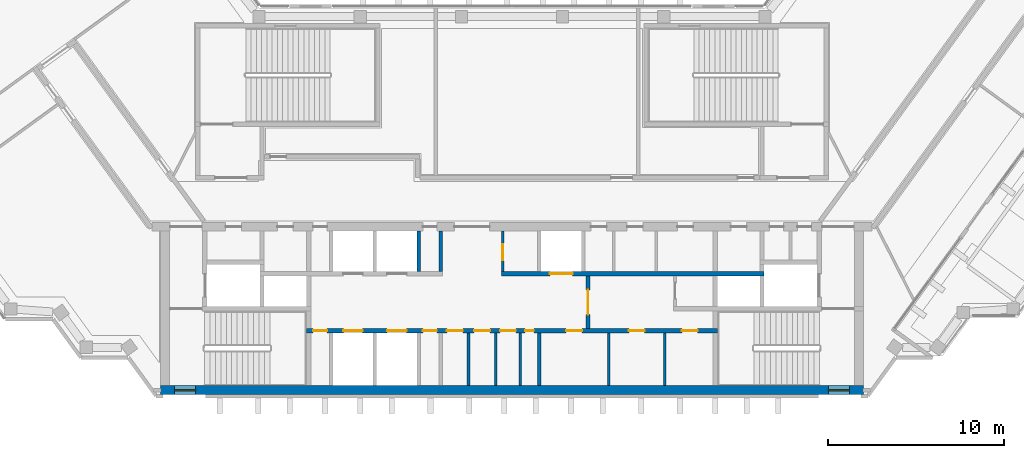
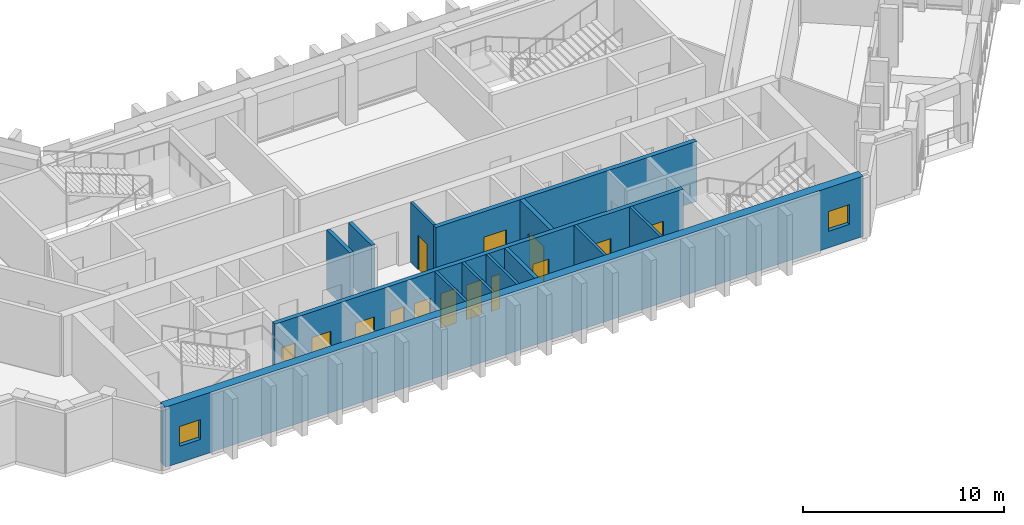
# One storey, part 6 of 11: 14 doors, 13 walls, 2 windows, 16 openings.
"""IFC4 building model written with IfcOpenShell, lengths in metres."""

from ifc_helpers import new_model, si_unit, direction, frame, frame_2d, origin, place, context, subcontext, project, spatial, rectangle, extrude, material, layer, layer_set, type_object, element, fill, save


model = new_model("IFC4")

# Units and contexts
model_context = context("Model", 3, precision=1e-05, world=origin(), true_north=direction((0.0, 1.0)))
body_context = subcontext(model_context, "Body", "Model", "MODEL_VIEW")
ifc_project = project(units=[si_unit("LENGTHUNIT", "METRE"), si_unit("AREAUNIT", "SQUARE_METRE"), si_unit("VOLUMEUNIT", "CUBIC_METRE"), si_unit("PLANEANGLEUNIT", "RADIAN"), si_unit("MASSUNIT", "GRAM", prefix="KILO")], contexts=[model_context])

# Site, building, storey
site_placement = place(None, origin())
site = spatial("IfcSite", under=ifc_project, at=site_placement, CompositionType="ELEMENT")
building_placement = place(site_placement, origin())
building = spatial("IfcBuilding", under=site, at=building_placement, Name="Quipu Civic Tower", CompositionType="ELEMENT")
storey_placement = place(building_placement, frame((0.0, 0.0, 319.0)))
storey = spatial("IfcBuildingStorey", under=building, at=storey_placement, Name="L74", CompositionType="ELEMENT", Elevation=319.0)

# Wall, openings, doors
ifc_material_1 = material(Name="Concrete C70/85", Category="concrete")
ifc_layer_1 = layer(ifc_material_1, 0.25)
ifc_layer_set_1 = layer_set([ifc_layer_1], Name="Concrete C70/85")
wall_type_1 = type_object("IfcWallType", Name="Core wall 250", PredefinedType="SHEAR", material=ifc_layer_set_1)
wall_1_placement = place(storey_placement, frame((11.699951171875, -7.375, 0.0), z_axis=(0.0, 0.0, 1.0), x_axis=(-1.0, 0.0, 0.0)))
wall_1 = element("IfcWall", 1, at=wall_1_placement, inside=storey, type_object=wall_type_1, Name="Core wall", PredefinedType="SHEAR", context=body_context, shape_type="SweptSolid", body=[
    extrude(rectangle(XDim=23.39990234375, YDim=0.25, at=frame_2d((11.699951171875, 0.0))), origin(), (0.0, 0.0, 1.0), 3.64990234375),
])
opening_1_placement = place(wall_1_placement, frame((22.22509765625, 0.0, 0.0)))
opening_1 = element("IfcOpeningElement", 2, at=opening_1_placement, cuts=wall_1, Name="Opening CD-01", PredefinedType="OPENING", context=body_context, shape_type="SweptSolid", body=[
    extrude(rectangle(XDim=0.800048828125, YDim=2.10009765625, at=frame_2d((0.39990234375, 1.050048828125))), frame((0.0, 0.135009765625, 0.0), z_axis=(0.0, -1.0, 0.0), x_axis=(1.0, 0.0, 0.0)), (0.0, 0.0, 1.0), 0.27001953125),
])
opening_2_placement = place(wall_1_placement, frame((20.199951171875, 0.0, 0.0)))
opening_2 = element("IfcOpeningElement", 3, at=opening_2_placement, cuts=wall_1, Name="Opening LD-HL1", PredefinedType="OPENING", context=body_context, shape_type="SweptSolid", body=[
    extrude(rectangle(XDim=1.10009765625, YDim=2.10009765625, at=frame_2d((0.550048828125, 1.050048828125))), frame((0.0, 0.135009765625, 0.0), z_axis=(0.0, -1.0, 0.0), x_axis=(1.0, 0.0, 0.0)), (0.0, 0.0, 1.0), 0.27001953125),
])
opening_3_placement = place(wall_1_placement, frame((17.699951171875, 0.0, 0.0)))
opening_3 = element("IfcOpeningElement", 4, at=opening_3_placement, cuts=wall_1, Name="Opening LD-HL2", PredefinedType="OPENING", context=body_context, shape_type="SweptSolid", body=[
    extrude(rectangle(XDim=1.10009765625, YDim=2.10009765625, at=frame_2d((0.550048828125, 1.050048828125))), frame((0.0, 0.135009765625, 0.0), z_axis=(0.0, -1.0, 0.0), x_axis=(1.0, 0.0, 0.0)), (0.0, 0.0, 1.0), 0.27001953125),
])
opening_4_placement = place(wall_1_placement, frame((15.97509765625, 0.0, 0.0)))
opening_4 = element("IfcOpeningElement", 5, at=opening_4_placement, cuts=wall_1, Name="Opening CD-02", PredefinedType="OPENING", context=body_context, shape_type="SweptSolid", body=[
    extrude(rectangle(XDim=0.800048828125, YDim=2.10009765625, at=frame_2d((0.39990234375, 1.050048828125))), frame((0.0, 0.135009765625, 0.0), z_axis=(0.0, -1.0, 0.0), x_axis=(1.0, 0.0, 0.0)), (0.0, 0.0, 1.0), 0.27001953125),
])
opening_5_placement = place(wall_1_placement, frame((14.5, 0.0, 0.0)))
opening_5 = element("IfcOpeningElement", 6, at=opening_5_placement, cuts=wall_1, Name="Opening CD-03", PredefinedType="OPENING", context=body_context, shape_type="SweptSolid", body=[
    extrude(rectangle(XDim=0.89990234375, YDim=2.10009765625, at=frame_2d((0.449951171875, 1.050048828125))), frame((0.0, 0.135009765625, 0.0), z_axis=(0.0, -1.0, 0.0), x_axis=(1.0, 0.0, 0.0)), (0.0, 0.0, 1.0), 0.27001953125),
])
opening_6_placement = place(wall_1_placement, frame((12.949951171875, 0.0, 0.0)))
opening_6 = element("IfcOpeningElement", 7, at=opening_6_placement, cuts=wall_1, Name="Opening CD-04", PredefinedType="OPENING", context=body_context, shape_type="SweptSolid", body=[
    extrude(rectangle(XDim=0.89990234375, YDim=2.10009765625, at=frame_2d((0.449951171875, 1.050048828125))), frame((0.0, 0.135009765625, 0.0), z_axis=(0.0, -1.0, 0.0), x_axis=(1.0, 0.0, 0.0)), (0.0, 0.0, 1.0), 0.27001953125),
])
opening_7_placement = place(wall_1_placement, frame((11.47509765625, 0.0, 0.0)))
opening_7 = element("IfcOpeningElement", 8, at=opening_7_placement, cuts=wall_1, Name="Opening CD-05", PredefinedType="OPENING", context=body_context, shape_type="SweptSolid", body=[
    extrude(rectangle(XDim=0.89990234375, YDim=2.10009765625, at=frame_2d((0.449951171875, 1.050048828125))), frame((0.0, 0.135009765625, 0.0), z_axis=(0.0, -1.0, 0.0), x_axis=(1.0, 0.0, 0.0)), (0.0, 0.0, 1.0), 0.27001953125),
])
opening_8_placement = place(wall_1_placement, frame((10.449951171875, 0.0, 0.0)))
opening_8 = element("IfcOpeningElement", 9, at=opening_8_placement, cuts=wall_1, Name="Opening CD-06", PredefinedType="OPENING", context=body_context, shape_type="SweptSolid", body=[
    extrude(rectangle(XDim=0.5, YDim=2.10009765625, at=frame_2d((0.25, 1.050048828125))), frame((0.0, 0.135009765625, 0.0), z_axis=(0.0, -1.0, 0.0), x_axis=(1.0, 0.0, 0.0)), (0.0, 0.0, 1.0), 0.27001953125),
])
opening_9_placement = place(wall_1_placement, frame((7.712890625, 0.0, 0.0)))
opening_9 = element("IfcOpeningElement", 10, at=opening_9_placement, cuts=wall_1, Name="Opening CD-07", PredefinedType="OPENING", context=body_context, shape_type="SweptSolid", body=[
    extrude(rectangle(XDim=0.89990234375, YDim=2.10009765625, at=frame_2d((0.449951171875, 1.050048828125))), frame((0.0, 0.135009765625, 0.0), z_axis=(0.0, -1.0, 0.0), x_axis=(1.0, 0.0, 0.0)), (0.0, 0.0, 1.0), 0.27001953125),
])
opening_10_placement = place(wall_1_placement, frame((4.14990234375, 0.0, 0.0)))
opening_10 = element("IfcOpeningElement", 11, at=opening_10_placement, cuts=wall_1, Name="Opening CD-08", PredefinedType="OPENING", context=body_context, shape_type="SweptSolid", body=[
    extrude(rectangle(XDim=0.89990234375, YDim=2.10009765625, at=frame_2d((0.449951171875, 1.050048828125))), frame((0.0, 0.135009765625, 0.0), z_axis=(0.0, -1.0, 0.0), x_axis=(1.0, 0.0, 0.0)), (0.0, 0.0, 1.0), 0.27001953125),
])
opening_11_placement = place(wall_1_placement, frame((1.137939453125, 0.0, 0.0)))
opening_11 = element("IfcOpeningElement", 12, at=opening_11_placement, cuts=wall_1, Name="Opening CD-09", PredefinedType="OPENING", context=body_context, shape_type="SweptSolid", body=[
    extrude(rectangle(XDim=0.89990234375, YDim=2.10009765625, at=frame_2d((0.449951171875, 1.050048828125))), frame((0.0, 0.135009765625, 0.0), z_axis=(0.0, -1.0, 0.0), x_axis=(1.0, 0.0, 0.0)), (0.0, 0.0, 1.0), 0.27001953125),
])
ifc_material_2 = material(Name="Fire rated steel door", Category="steel")
door_type_1 = type_object("IfcDoorType", Name="Fire door FD60 500 x 2100", OperationType="NOTDEFINED", PredefinedType="DOOR", material=ifc_material_2)
door_1_placement = place(opening_8_placement, origin())
door_1 = element("IfcDoor", 13, at=door_1_placement, inside=storey, type_object=door_type_1, Name="Door", OperationType="SINGLE_SWING_LEFT", OverallHeight=2.10009765625, OverallWidth=0.5, PredefinedType="DOOR", context=body_context, shape_type="SweptSolid", body=[
    extrude(rectangle(XDim=0.5, YDim=2.10009765625, at=frame_2d((0.25, 1.050048828125))), frame((0.0, 0.02490234375, 0.0), z_axis=(0.0, -1.0, 0.0), x_axis=(1.0, 0.0, 0.0)), (0.0, 0.0, 1.0), 0.050048828125),
])
fill(opening_8, door_1)
ifc_material_3 = material(Name="Fire rated steel door", Category="steel")
door_type_2 = type_object("IfcDoorType", Name="Fire door FD60 800 x 2100", OperationType="NOTDEFINED", PredefinedType="DOOR", material=ifc_material_3)
door_2_placement = place(opening_1_placement, origin())
door_2 = element("IfcDoor", 14, at=door_2_placement, inside=storey, type_object=door_type_2, Name="Door", OperationType="SINGLE_SWING_RIGHT", OverallHeight=2.10009765625, OverallWidth=0.800048828125, PredefinedType="DOOR", context=body_context, shape_type="SweptSolid", body=[
    extrude(rectangle(XDim=0.800048828125, YDim=2.10009765625, at=frame_2d((0.39990234375, 1.050048828125))), frame((0.0, 0.02490234375, 0.0), z_axis=(0.0, -1.0, 0.0), x_axis=(1.0, 0.0, 0.0)), (0.0, 0.0, 1.0), 0.050048828125),
])
fill(opening_1, door_2)
door_3_placement = place(opening_4_placement, origin())
door_3 = element("IfcDoor", 15, at=door_3_placement, inside=storey, type_object=door_type_2, Name="Door", OperationType="SINGLE_SWING_RIGHT", OverallHeight=2.10009765625, OverallWidth=0.800048828125, PredefinedType="DOOR", context=body_context, shape_type="SweptSolid", body=[
    extrude(rectangle(XDim=0.800048828125, YDim=2.10009765625, at=frame_2d((0.39990234375, 1.050048828125))), frame((0.0, 0.02490234375, 0.0), z_axis=(0.0, -1.0, 0.0), x_axis=(1.0, 0.0, 0.0)), (0.0, 0.0, 1.0), 0.050048828125),
])
fill(opening_4, door_3)
ifc_material_4 = material(Name="Fire rated steel door", Category="steel")
door_type_3 = type_object("IfcDoorType", Name="Fire door FD60 900 x 2100", OperationType="NOTDEFINED", PredefinedType="DOOR", material=ifc_material_4)
door_4_placement = place(opening_5_placement, origin())
door_4 = element("IfcDoor", 16, at=door_4_placement, inside=storey, type_object=door_type_3, Name="WC door", OperationType="SINGLE_SWING_RIGHT", OverallHeight=2.10009765625, OverallWidth=0.89990234375, PredefinedType="DOOR", context=body_context, shape_type="SweptSolid", body=[
    extrude(rectangle(XDim=0.89990234375, YDim=2.10009765625, at=frame_2d((0.449951171875, 1.050048828125))), frame((0.0, 0.02490234375, 0.0), z_axis=(0.0, -1.0, 0.0), x_axis=(1.0, 0.0, 0.0)), (0.0, 0.0, 1.0), 0.050048828125),
])
fill(opening_5, door_4)
door_5_placement = place(opening_6_placement, origin())
door_5 = element("IfcDoor", 17, at=door_5_placement, inside=storey, type_object=door_type_3, Name="WC door", OperationType="SINGLE_SWING_RIGHT", OverallHeight=2.10009765625, OverallWidth=0.89990234375, PredefinedType="DOOR", context=body_context, shape_type="SweptSolid", body=[
    extrude(rectangle(XDim=0.89990234375, YDim=2.10009765625, at=frame_2d((0.449951171875, 1.050048828125))), frame((0.0, 0.02490234375, 0.0), z_axis=(0.0, -1.0, 0.0), x_axis=(1.0, 0.0, 0.0)), (0.0, 0.0, 1.0), 0.050048828125),
])
fill(opening_6, door_5)
door_6_placement = place(opening_7_placement, origin())
door_6 = element("IfcDoor", 18, at=door_6_placement, inside=storey, type_object=door_type_3, Name="WC door", OperationType="SINGLE_SWING_RIGHT", OverallHeight=2.10009765625, OverallWidth=0.89990234375, PredefinedType="DOOR", context=body_context, shape_type="SweptSolid", body=[
    extrude(rectangle(XDim=0.89990234375, YDim=2.10009765625, at=frame_2d((0.449951171875, 1.050048828125))), frame((0.0, 0.02490234375, 0.0), z_axis=(0.0, -1.0, 0.0), x_axis=(1.0, 0.0, 0.0)), (0.0, 0.0, 1.0), 0.050048828125),
])
fill(opening_7, door_6)
door_7_placement = place(opening_9_placement, origin())
door_7 = element("IfcDoor", 19, at=door_7_placement, inside=storey, type_object=door_type_3, Name="Door", OperationType="SINGLE_SWING_LEFT", OverallHeight=2.10009765625, OverallWidth=0.89990234375, PredefinedType="DOOR", context=body_context, shape_type="SweptSolid", body=[
    extrude(rectangle(XDim=0.89990234375, YDim=2.10009765625, at=frame_2d((0.449951171875, 1.050048828125))), frame((0.0, 0.02490234375, 0.0), z_axis=(0.0, -1.0, 0.0), x_axis=(1.0, 0.0, 0.0)), (0.0, 0.0, 1.0), 0.050048828125),
])
fill(opening_9, door_7)
door_8_placement = place(opening_10_placement, origin())
door_8 = element("IfcDoor", 20, at=door_8_placement, inside=storey, type_object=door_type_3, Name="Door", OperationType="SINGLE_SWING_LEFT", OverallHeight=2.10009765625, OverallWidth=0.89990234375, PredefinedType="DOOR", context=body_context, shape_type="SweptSolid", body=[
    extrude(rectangle(XDim=0.89990234375, YDim=2.10009765625, at=frame_2d((0.449951171875, 1.050048828125))), frame((0.0, 0.02490234375, 0.0), z_axis=(0.0, -1.0, 0.0), x_axis=(1.0, 0.0, 0.0)), (0.0, 0.0, 1.0), 0.050048828125),
])
fill(opening_10, door_8)
door_9_placement = place(opening_11_placement, origin())
door_9 = element("IfcDoor", 21, at=door_9_placement, inside=storey, type_object=door_type_3, Name="Door", OperationType="SINGLE_SWING_LEFT", OverallHeight=2.10009765625, OverallWidth=0.89990234375, PredefinedType="DOOR", context=body_context, shape_type="SweptSolid", body=[
    extrude(rectangle(XDim=0.89990234375, YDim=2.10009765625, at=frame_2d((0.449951171875, 1.050048828125))), frame((0.0, 0.02490234375, 0.0), z_axis=(0.0, -1.0, 0.0), x_axis=(1.0, 0.0, 0.0)), (0.0, 0.0, 1.0), 0.050048828125),
])
fill(opening_11, door_9)
ifc_material_5 = material(Name="Stainless steel", Category="steel")
door_type_4 = type_object("IfcDoorType", Name="Lift landing door 1100 x 2100", OperationType="DOUBLE_DOOR_SLIDING", PredefinedType="DOOR", material=ifc_material_5)
door_10_placement = place(opening_2_placement, origin())
door_10 = element("IfcDoor", 22, at=door_10_placement, inside=storey, type_object=door_type_4, Name="Landing door HL1", OperationType="DOUBLE_DOOR_SLIDING", OverallHeight=2.10009765625, OverallWidth=1.10009765625, PredefinedType="DOOR", context=body_context, shape_type="SweptSolid", body=[
    extrude(rectangle(XDim=1.10009765625, YDim=2.10009765625, at=frame_2d((0.550048828125, 1.050048828125))), frame((0.0, 0.02490234375, 0.0), z_axis=(0.0, -1.0, 0.0), x_axis=(1.0, 0.0, 0.0)), (0.0, 0.0, 1.0), 0.050048828125),
])
fill(opening_2, door_10)
door_11_placement = place(opening_3_placement, origin())
door_11 = element("IfcDoor", 23, at=door_11_placement, inside=storey, type_object=door_type_4, Name="Landing door HL2", OperationType="DOUBLE_DOOR_SLIDING", OverallHeight=2.10009765625, OverallWidth=1.10009765625, PredefinedType="DOOR", context=body_context, shape_type="SweptSolid", body=[
    extrude(rectangle(XDim=1.10009765625, YDim=2.10009765625, at=frame_2d((0.550048828125, 1.050048828125))), frame((0.0, 0.02490234375, 0.0), z_axis=(0.0, -1.0, 0.0), x_axis=(1.0, 0.0, 0.0)), (0.0, 0.0, 1.0), 0.050048828125),
])
fill(opening_3, door_11)

# Wall, opening, door
wall_2_placement = place(storey_placement, frame((4.324951171875, -7.25, 0.0), z_axis=(0.0, 0.0, 1.0), x_axis=(0.0, 1.0, 0.0)))
wall_2 = element("IfcWall", 24, at=wall_2_placement, inside=storey, type_object=wall_type_1, Name="Core wall", PredefinedType="SHEAR", context=body_context, shape_type="SweptSolid", body=[
    extrude(rectangle(XDim=3.0, YDim=0.25, at=frame_2d((1.5, 0.0))), origin(), (0.0, 0.0, 1.0), 3.64990234375),
])
opening_12_placement = place(wall_2_placement, frame((0.800048828125, 0.0, 0.0)))
opening_12 = element("IfcOpeningElement", 25, at=opening_12_placement, cuts=wall_2, Name="Opening CD-12", PredefinedType="OPENING", context=body_context, shape_type="SweptSolid", body=[
    extrude(rectangle(XDim=1.39990234375, YDim=2.10009765625, at=frame_2d((0.699951171875, 1.050048828125))), frame((0.0, 0.135009765625, 0.0), z_axis=(0.0, -1.0, 0.0), x_axis=(1.0, 0.0, 0.0)), (0.0, 0.0, 1.0), 0.27001953125),
])
ifc_material_6 = material(Name="Fire rated steel door", Category="steel")
door_type_5 = type_object("IfcDoorType", Name="Fire door FD60 double 1400 x 2100", OperationType="NOTDEFINED", PredefinedType="DOOR", material=ifc_material_6)
door_12_placement = place(opening_12_placement, origin())
door_12 = element("IfcDoor", 26, at=door_12_placement, inside=storey, type_object=door_type_5, Name="Hall door", OperationType="DOUBLE_DOOR_SINGLE_SWING", OverallHeight=2.10009765625, OverallWidth=1.39990234375, PredefinedType="DOOR", context=body_context, shape_type="SweptSolid", body=[
    extrude(rectangle(XDim=1.39990234375, YDim=2.10009765625, at=frame_2d((0.699951171875, 1.050048828125))), frame((0.0, 0.02490234375, 0.0), z_axis=(0.0, -1.0, 0.0), x_axis=(1.0, 0.0, 0.0)), (0.0, 0.0, 1.0), 0.050048828125),
])
fill(opening_12, door_12)

wall_3_placement = place(storey_placement, frame((-0.60009765625, -4.125, 0.0), z_axis=(0.0, 0.0, 1.0), x_axis=(1.0, 0.0, 0.0)))
wall_3 = element("IfcWall", 27, at=wall_3_placement, inside=storey, type_object=wall_type_1, Name="Core wall", PredefinedType="SHEAR", context=body_context, shape_type="SweptSolid", body=[
    extrude(rectangle(XDim=14.9501953125, YDim=0.25, at=frame_2d((7.47509765625, 0.0))), origin(), (0.0, 0.0, 1.0), 3.64990234375),
])
opening_13_placement = place(wall_3_placement, frame((2.75, 0.0, 0.0)))
opening_13 = element("IfcOpeningElement", 28, at=opening_13_placement, cuts=wall_3, Name="Opening LD-FF3", PredefinedType="OPENING", context=body_context, shape_type="SweptSolid", body=[
    extrude(rectangle(XDim=1.300048828125, YDim=2.10009765625, at=frame_2d((0.64990234375, 1.050048828125))), frame((0.0, 0.135009765625, 0.0), z_axis=(0.0, -1.0, 0.0), x_axis=(1.0, 0.0, 0.0)), (0.0, 0.0, 1.0), 0.27001953125),
])
ifc_material_7 = material(Name="Stainless steel", Category="steel")
door_type_6 = type_object("IfcDoorType", Name="Lift landing door 1300 x 2100", OperationType="DOUBLE_DOOR_SLIDING", PredefinedType="DOOR", material=ifc_material_7)
door_13_placement = place(opening_13_placement, origin())
door_13 = element("IfcDoor", 29, at=door_13_placement, inside=storey, type_object=door_type_6, Name="Landing door FF3", OperationType="DOUBLE_DOOR_SLIDING", OverallHeight=2.10009765625, OverallWidth=1.300048828125, PredefinedType="DOOR", context=body_context, shape_type="SweptSolid", body=[
    extrude(rectangle(XDim=1.300048828125, YDim=2.10009765625, at=frame_2d((0.64990234375, 1.050048828125))), frame((0.0, 0.02490234375, 0.0), z_axis=(0.0, -1.0, 0.0), x_axis=(1.0, 0.0, 0.0)), (0.0, 0.0, 1.0), 0.050048828125),
])
fill(opening_13, door_13)

# Wall, openings, windows
ifc_material_8 = material(Name="Concrete C70/85", Category="concrete")
ifc_layer_2 = layer(ifc_material_8, 0.5)
ifc_layer_set_2 = layer_set([ifc_layer_2], Name="Concrete C70/85")
wall_type_2 = type_object("IfcWallType", Name="Core wall 500", PredefinedType="SHEAR", material=ifc_layer_set_2)
wall_4_placement = place(storey_placement, frame((-20.0, -10.75, 0.0), z_axis=(0.0, 0.0, 1.0), x_axis=(1.0, 0.0, 0.0)))
wall_4 = element("IfcWall", 30, at=wall_4_placement, inside=storey, type_object=wall_type_2, Name="Core wall", PredefinedType="SHEAR", context=body_context, shape_type="SweptSolid", body=[
    extrude(rectangle(XDim=40.0, YDim=0.5, at=frame_2d((20.0, 0.0))), origin(), (0.0, 0.0, 1.0), 3.64990234375),
])
opening_14_placement = place(wall_4_placement, frame((0.800048828125, 0.0, 1.0)))
opening_14 = element("IfcOpeningElement", 31, at=opening_14_placement, cuts=wall_4, Name="Opening SV-1", PredefinedType="OPENING", context=body_context, shape_type="SweptSolid", body=[
    extrude(rectangle(XDim=1.199951171875, YDim=1.199951171875, at=frame_2d((0.60009765625, 0.60009765625))), frame((0.0, 0.260009765625, 0.0), z_axis=(0.0, -1.0, 0.0), x_axis=(1.0, 0.0, 0.0)), (0.0, 0.0, 1.0), 0.52001953125),
])
opening_15_placement = place(wall_4_placement, frame((38.0, 0.0, 1.0)))
opening_15 = element("IfcOpeningElement", 32, at=opening_15_placement, cuts=wall_4, Name="Opening SV-2", PredefinedType="OPENING", context=body_context, shape_type="SweptSolid", body=[
    extrude(rectangle(XDim=1.199951171875, YDim=1.199951171875, at=frame_2d((0.60009765625, 0.60009765625))), frame((0.0, 0.260009765625, 0.0), z_axis=(0.0, -1.0, 0.0), x_axis=(1.0, 0.0, 0.0)), (0.0, 0.0, 1.0), 0.52001953125),
])
ifc_material_9 = material(Name="Aluminium louvre", Category="aluminium")
window_type = type_object("IfcWindowType", Name="Stair ventilation louvre 1200 x 1200", PartitioningType="SINGLE_PANEL", PredefinedType="WINDOW", material=ifc_material_9)
window_1_placement = place(opening_14_placement, origin())
window_1 = element("IfcWindow", 33, at=window_1_placement, inside=storey, type_object=window_type, Name="Stair ventilation opening", OverallHeight=1.199951171875, OverallWidth=1.199951171875, PartitioningType="SINGLE_PANEL", PredefinedType="WINDOW", context=body_context, shape_type="SweptSolid", body=[
    extrude(rectangle(XDim=1.199951171875, YDim=1.199951171875, at=frame_2d((0.60009765625, 0.60009765625))), frame((0.0, 0.030029296875, 0.0), z_axis=(0.0, -1.0, 0.0), x_axis=(1.0, 0.0, 0.0)), (0.0, 0.0, 1.0), 0.06005859375),
])
fill(opening_14, window_1)
window_2_placement = place(opening_15_placement, origin())
window_2 = element("IfcWindow", 34, at=window_2_placement, inside=storey, type_object=window_type, Name="Stair ventilation opening", OverallHeight=1.199951171875, OverallWidth=1.199951171875, PartitioningType="SINGLE_PANEL", PredefinedType="WINDOW", context=body_context, shape_type="SweptSolid", body=[
    extrude(rectangle(XDim=1.199951171875, YDim=1.199951171875, at=frame_2d((0.60009765625, 0.60009765625))), frame((0.0, 0.030029296875, 0.0), z_axis=(0.0, -1.0, 0.0), x_axis=(1.0, 0.0, 0.0)), (0.0, 0.0, 1.0), 0.06005859375),
])
fill(opening_15, window_2)

# Walls
ifc_material_10 = material(Name="Gypsum board partition")
ifc_layer_3 = layer(ifc_material_10, 0.14990234375)
ifc_layer_set_3 = layer_set([ifc_layer_3], Name="Gypsum board partition")
wall_type_3 = type_object("IfcWallType", Name="Partition 150", PredefinedType="PARTITIONING", material=ifc_layer_set_3)
for number, where, z_axis, x_axis, name in (
    (35, (-2.47509765625, -10.5, 0.0), (0.0, 0.0, 1.0), (0.0, 1.0, 0.0), "Partition"),
    (36, (-0.925048828125, -10.5, 0.0), (0.0, 0.0, 1.0), (0.0, 1.0, 0.0), "Partition"),
    (37, (0.47509765625, -10.5, 0.0), (0.0, 0.0, 1.0), (0.0, 1.0, 0.0), "Partition"),
    (38, (5.5, -10.5, 0.0), (0.0, 0.0, 1.0), (0.0, 1.0, 0.0), "Partition"),
    (39, (8.699951171875, -10.5, 0.0), (0.0, 0.0, 1.0), (0.0, 1.0, 0.0), "Partition"),
):
    element("IfcWall", number, at=place(storey_placement, frame(where, z_axis=z_axis, x_axis=x_axis)), inside=storey, type_object=wall_type_3, Name=name, PredefinedType="PARTITIONING", context=body_context, shape_type="SweptSolid", body=[
        extrude(rectangle(XDim=3.0, YDim=0.14990234375, at=frame_2d((1.5, 0.0))), origin(), (0.0, 0.0, 1.0), 3.64990234375),
    ])

# Wall, opening, door
wall_5_placement = place(storey_placement, frame((-0.52490234375, -4.0, 0.0), z_axis=(0.0, 0.0, 1.0), x_axis=(0.0, 1.0, 0.0)))
wall_5 = element("IfcWall", 40, at=wall_5_placement, inside=storey, type_object=wall_type_3, Name="Partition", PredefinedType="PARTITIONING", context=body_context, shape_type="SweptSolid", body=[
    extrude(rectangle(XDim=2.300048828125, YDim=0.14990234375, at=frame_2d((1.14990234375, 0.0))), origin(), (0.0, 0.0, 1.0), 3.64990234375),
])
opening_16_placement = place(wall_5_placement, frame((0.64990234375, 0.0, 0.0)))
opening_16 = element("IfcOpeningElement", 41, at=opening_16_placement, cuts=wall_5, Name="Opening CD-14", PredefinedType="OPENING", context=body_context, shape_type="SweptSolid", body=[
    extrude(rectangle(XDim=0.89990234375, YDim=2.10009765625, at=frame_2d((0.449951171875, 1.050048828125))), frame((0.0, 0.0849609375, 0.0), z_axis=(0.0, -1.0, 0.0), x_axis=(1.0, 0.0, 0.0)), (0.0, 0.0, 1.0), 0.169921875),
])
door_14_placement = place(opening_16_placement, origin())
door_14 = element("IfcDoor", 42, at=door_14_placement, inside=storey, type_object=door_type_3, Name="WC door", OperationType="SINGLE_SWING_LEFT", OverallHeight=2.10009765625, OverallWidth=0.89990234375, PredefinedType="DOOR", context=body_context, shape_type="SweptSolid", body=[
    extrude(rectangle(XDim=0.89990234375, YDim=2.10009765625, at=frame_2d((0.449951171875, 1.050048828125))), frame((0.0, 0.02490234375, 0.0), z_axis=(0.0, -1.0, 0.0), x_axis=(1.0, 0.0, 0.0)), (0.0, 0.0, 1.0), 0.050048828125),
])
fill(opening_16, door_14)

# Walls
ifc_material_11 = material(Name="Concrete C40/50", Category="concrete")
ifc_layer_4 = layer(ifc_material_11, 0.199951171875)
ifc_layer_set_4 = layer_set([ifc_layer_4], Name="Concrete C40/50")
wall_type_4 = type_object("IfcWallType", Name="Shaft wall 200", PredefinedType="SOLIDWALL", material=ifc_layer_set_4)
wall_6_placement = place(storey_placement, frame((1.550048828125, -10.5, 0.0), z_axis=(0.0, 0.0, 1.0), x_axis=(0.0, 1.0, 0.0)))
element("IfcWall", 43, at=wall_6_placement, inside=storey, type_object=wall_type_4, Name="Shaft wall", PredefinedType="SOLIDWALL", context=body_context, shape_type="SweptSolid", body=[
    extrude(rectangle(XDim=3.0, YDim=0.199951171875, at=frame_2d((1.5, 0.0))), origin(), (0.0, 0.0, 1.0), 3.64990234375),
])
for number, where, z_axis, x_axis, name in (
    (44, (-5.300048828125, -4.0, 0.0), (0.0, 0.0, 1.0), (0.0, 1.0, 0.0), "Shaft wall"),
    (45, (-4.050048828125, -4.0, 0.0), (0.0, 0.0, 1.0), (0.0, 1.0, 0.0), "Shaft wall"),
):
    element("IfcWall", number, at=place(storey_placement, frame(where, z_axis=z_axis, x_axis=x_axis)), inside=storey, type_object=wall_type_4, Name=name, PredefinedType="SOLIDWALL", context=body_context, shape_type="SweptSolid", body=[
        extrude(rectangle(XDim=2.300048828125, YDim=0.199951171875, at=frame_2d((1.14990234375, 0.0))), origin(), (0.0, 0.0, 1.0), 3.64990234375),
    ])

save(model, "model.ifc")
